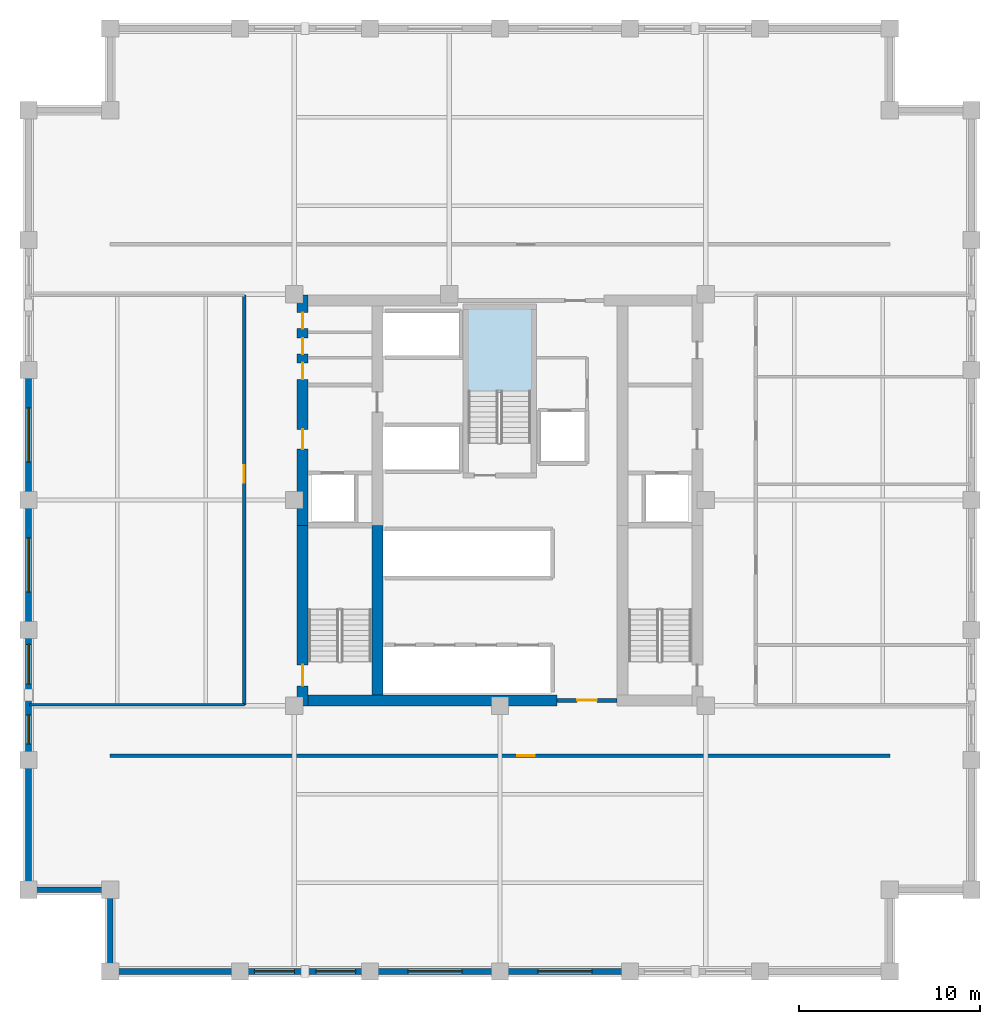
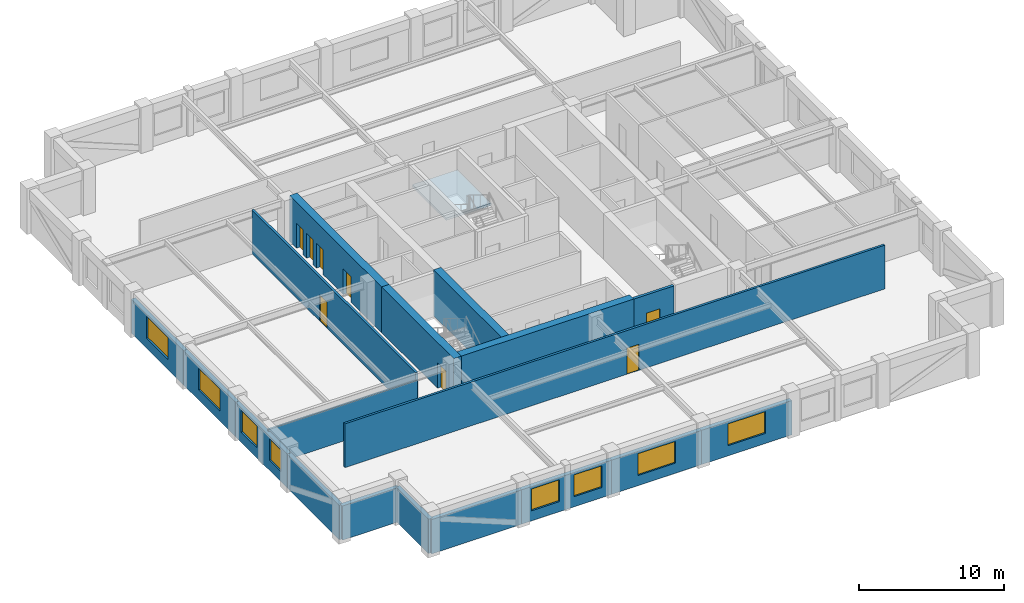
# One storey, part 2 of 6: 18 walls, 8 doors, 8 windows, 1 slab, 16 openings, 1 element without a shape of its own.
"""IFC4 building model written with IfcOpenShell, lengths in metres."""

from ifc_helpers import new_model, si_unit, direction, frame, frame_2d, origin, place, context, subcontext, project, spatial, polyline, rectangle, outline, extrude, material, layer, layer_set, type_object, element, fill, aggregate, save


model = new_model("IFC4")

# Units and contexts
model_context = context("Model", 3, precision=1e-05, world=origin(), true_north=direction((0.0, 1.0)))
body_context = subcontext(model_context, "Body", "Model", "MODEL_VIEW")
ifc_project = project(units=[si_unit("LENGTHUNIT", "METRE"), si_unit("AREAUNIT", "SQUARE_METRE"), si_unit("VOLUMEUNIT", "CUBIC_METRE"), si_unit("PLANEANGLEUNIT", "RADIAN"), si_unit("MASSUNIT", "GRAM", prefix="KILO")], contexts=[model_context])

# Site, building, storey
site_placement = place(None, origin())
site = spatial("IfcSite", under=ifc_project, at=site_placement, CompositionType="ELEMENT")
building_placement = place(site_placement, origin())
building = spatial("IfcBuilding", under=site, at=building_placement, Name="Nhamokura Convention Tower", CompositionType="ELEMENT")
storey_placement = place(building_placement, frame((0.0, 0.0, 145.25)))
storey = spatial("IfcBuildingStorey", under=building, at=storey_placement, Name="L35", CompositionType="ELEMENT", Elevation=145.25)

# Stair, slab
ifc_material_1 = material(Name="Concrete C40/50", Category="concrete")
stair_type = type_object("IfcStairType", Name="TowerCoreStair_1650", PredefinedType="HALF_TURN_STAIR", material=ifc_material_1)
stair_placement = place(storey_placement, origin())
stair = element("IfcStair", 1, at=stair_placement, inside=storey, type_object=stair_type, Name="L35 North Core Smokeproof Stair ST-03", PredefinedType="HALF_TURN_STAIR")
ifc_material_2 = material(Name="Concrete C40/50", Category="concrete")
ifc_layer_1 = layer(ifc_material_2, 0.199951171875)
ifc_layer_set_1 = layer_set([ifc_layer_1], Name="StairLandingSlab_200")
slab_type = type_object("IfcSlabType", Name="StairLandingSlab_200", PredefinedType="LANDING", material=ifc_layer_set_1)
slab_placement = place(storey_placement, frame((0.0, 0.0, 1.72509765625)))
slab = element("IfcSlab", 2, at=slab_placement, type_object=slab_type, Name="ST-03 landing 1", PredefinedType="LANDING", context=body_context, shape_type="SweptSolid", body=[
    extrude(outline(polyline([(33.780029296875, 37.919921875), (33.780029296875, 42.580078125), (30.169921875, 42.580078125), (30.169921875, 37.919921875), (33.780029296875, 37.919921875)])), origin(), (0.0, 0.0, 1.0), 0.199951171875),
])
aggregate(stair, [slab])

# Wall
ifc_material_3 = material(Name="Bronze-pigmented precast concrete C45/55", Category="concrete")
ifc_layer_2 = layer(ifc_material_3, 0.320068359375)
ifc_layer_set_2 = layer_set([ifc_layer_2], Name="BronzePrecastSpandrel_320")
wall_type_1 = type_object("IfcWallType", Name="BronzePrecastSpandrel_320", PredefinedType="USERDEFINED", material=ifc_layer_set_2)
wall_1_placement = place(storey_placement, frame((17.666748046875, 6.0, 0.0), z_axis=(0.0, 0.0, 1.0), x_axis=(-1.0, 0.0, 0.0)))
element("IfcWall", 3, at=wall_1_placement, inside=storey, type_object=wall_type_1, Name="L35 Braced-Bay Precast Wall SOUTH 0", ObjectType="SPANDREL_WALL", PredefinedType="USERDEFINED", context=body_context, shape_type="SweptSolid", body=[
    extrude(rectangle(XDim=7.166748046875, YDim=0.320068359375, at=frame_2d((3.58349609375, 0.0))), origin(), (0.0, 0.0, 1.0), 2.885009765625),
])

# Wall, openings, windows
wall_2_placement = place(storey_placement, frame((24.833251953125, 6.0, 0.0), z_axis=(0.0, 0.0, 1.0), x_axis=(-1.0, 0.0, 0.0)))
wall_2 = element("IfcWall", 4, at=wall_2_placement, inside=storey, type_object=wall_type_1, Name="L35 Masonry-Frame Wall SOUTH 1", ObjectType="SPANDREL_WALL", PredefinedType="USERDEFINED", context=body_context, shape_type="SweptSolid", body=[
    extrude(rectangle(XDim=7.16650390625, YDim=0.320068359375, at=frame_2d((3.583251953125, 0.0))), origin(), (0.0, 0.0, 1.0), 2.885009765625),
])
opening_1_placement = place(wall_2_placement, frame((0.791748046875, 0.0, 0.85009765625)))
opening_1 = element("IfcOpeningElement", 5, at=opening_1_placement, cuts=wall_2, Name="Opening W-06", PredefinedType="OPENING", context=body_context, shape_type="SweptSolid", body=[
    extrude(rectangle(XDim=2.199951171875, YDim=1.8349609375, at=frame_2d((1.10009765625, 0.91748046875))), frame((0.0, 0.169921875, 0.0), z_axis=(0.0, -1.0, 0.0), x_axis=(1.0, 0.0, 0.0)), (0.0, 0.0, 1.0), 0.340087890625),
])
opening_2_placement = place(wall_2_placement, frame((4.175048828125, 0.0, 0.85009765625)))
opening_2 = element("IfcOpeningElement", 6, at=opening_2_placement, cuts=wall_2, Name="Opening W-06", PredefinedType="OPENING", context=body_context, shape_type="SweptSolid", body=[
    extrude(rectangle(XDim=2.199951171875, YDim=1.8349609375, at=frame_2d((1.10009765625, 0.91748046875))), frame((0.0, 0.169921875, 0.0), z_axis=(0.0, -1.0, 0.0), x_axis=(1.0, 0.0, 0.0)), (0.0, 0.0, 1.0), 0.340087890625),
])
ifc_material_4 = material(Name="Solar-control bronze low-E double glass", Category="glass")
window_type_1 = type_object("IfcWindowType", Name="OfficeModuleWindow_Z2_2200", PartitioningType="SINGLE_PANEL", PredefinedType="WINDOW", material=ifc_material_4)
window_1_placement = place(opening_1_placement, origin())
window_1 = element("IfcWindow", 7, at=window_1_placement, inside=storey, type_object=window_type_1, Name="L35 Facade Window SOUTH 1-1", OverallHeight=1.8349609375, OverallWidth=2.199951171875, PartitioningType="SINGLE_PANEL", PredefinedType="WINDOW", context=body_context, shape_type="SweptSolid", body=[
    extrude(rectangle(XDim=2.199951171875, YDim=1.8349609375, at=frame_2d((1.10009765625, 0.91748046875))), frame((0.0, 0.030029296875, 0.0), z_axis=(0.0, -1.0, 0.0), x_axis=(1.0, 0.0, 0.0)), (0.0, 0.0, 1.0), 0.06005859375),
])
fill(opening_1, window_1)
window_2_placement = place(opening_2_placement, origin())
window_2 = element("IfcWindow", 8, at=window_2_placement, inside=storey, type_object=window_type_1, Name="L35 Facade Window SOUTH 1-2", OverallHeight=1.8349609375, OverallWidth=2.199951171875, PartitioningType="SINGLE_PANEL", PredefinedType="WINDOW", context=body_context, shape_type="SweptSolid", body=[
    extrude(rectangle(XDim=2.199951171875, YDim=1.8349609375, at=frame_2d((1.10009765625, 0.91748046875))), frame((0.0, 0.030029296875, 0.0), z_axis=(0.0, -1.0, 0.0), x_axis=(1.0, 0.0, 0.0)), (0.0, 0.0, 1.0), 0.06005859375),
])
fill(opening_2, window_2)

# Wall, opening, window
wall_3_placement = place(storey_placement, frame((32.0, 6.0, 0.0), z_axis=(0.0, 0.0, 1.0), x_axis=(-1.0, 0.0, 0.0)))
wall_3 = element("IfcWall", 9, at=wall_3_placement, inside=storey, type_object=wall_type_1, Name="L35 Masonry-Frame Wall SOUTH 2", ObjectType="SPANDREL_WALL", PredefinedType="USERDEFINED", context=body_context, shape_type="SweptSolid", body=[
    extrude(rectangle(XDim=7.166748046875, YDim=0.320068359375, at=frame_2d((3.58349609375, 0.0))), origin(), (0.0, 0.0, 1.0), 2.885009765625),
])
opening_3_placement = place(wall_3_placement, frame((2.083251953125, 0.0, 0.85009765625)))
opening_3 = element("IfcOpeningElement", 10, at=opening_3_placement, cuts=wall_3, Name="Opening W-05", PredefinedType="OPENING", context=body_context, shape_type="SweptSolid", body=[
    extrude(rectangle(XDim=3.0, YDim=1.8349609375, at=frame_2d((1.5, 0.91748046875))), frame((0.0, 0.169921875, 0.0), z_axis=(0.0, -1.0, 0.0), x_axis=(1.0, 0.0, 0.0)), (0.0, 0.0, 1.0), 0.340087890625),
])
ifc_material_5 = material(Name="Solar-control bronze low-E double glass", Category="glass")
window_type_2 = type_object("IfcWindowType", Name="OfficeModuleWindow_Z2_3000", PartitioningType="DOUBLE_PANEL_VERTICAL", PredefinedType="WINDOW", material=ifc_material_5)
window_3_placement = place(opening_3_placement, origin())
window_3 = element("IfcWindow", 11, at=window_3_placement, inside=storey, type_object=window_type_2, Name="L35 Facade Window SOUTH 2", OverallHeight=1.8349609375, OverallWidth=3.0, PartitioningType="SINGLE_PANEL", PredefinedType="WINDOW", context=body_context, shape_type="SweptSolid", body=[
    extrude(rectangle(XDim=3.0, YDim=1.8349609375, at=frame_2d((1.5, 0.91748046875))), frame((0.0, 0.030029296875, 0.0), z_axis=(0.0, -1.0, 0.0), x_axis=(1.0, 0.0, 0.0)), (0.0, 0.0, 1.0), 0.06005859375),
])
fill(opening_3, window_3)

wall_4_placement = place(storey_placement, frame((39.166748046875, 6.0, 0.0), z_axis=(0.0, 0.0, 1.0), x_axis=(-1.0, 0.0, 0.0)))
wall_4 = element("IfcWall", 12, at=wall_4_placement, inside=storey, type_object=wall_type_1, Name="L35 Masonry-Frame Wall SOUTH 3", ObjectType="SPANDREL_WALL", PredefinedType="USERDEFINED", context=body_context, shape_type="SweptSolid", body=[
    extrude(rectangle(XDim=7.166748046875, YDim=0.320068359375, at=frame_2d((3.58349609375, 0.0))), origin(), (0.0, 0.0, 1.0), 2.885009765625),
])
opening_4_placement = place(wall_4_placement, frame((2.083251953125, 0.0, 0.85009765625)))
opening_4 = element("IfcOpeningElement", 13, at=opening_4_placement, cuts=wall_4, Name="Opening W-05", PredefinedType="OPENING", context=body_context, shape_type="SweptSolid", body=[
    extrude(rectangle(XDim=3.0, YDim=1.8349609375, at=frame_2d((1.5, 0.91748046875))), frame((0.0, 0.169921875, 0.0), z_axis=(0.0, -1.0, 0.0), x_axis=(1.0, 0.0, 0.0)), (0.0, 0.0, 1.0), 0.340087890625),
])
window_4_placement = place(opening_4_placement, origin())
window_4 = element("IfcWindow", 14, at=window_4_placement, inside=storey, type_object=window_type_2, Name="L35 Facade Window SOUTH 3", OverallHeight=1.8349609375, OverallWidth=3.0, PartitioningType="SINGLE_PANEL", PredefinedType="WINDOW", context=body_context, shape_type="SweptSolid", body=[
    extrude(rectangle(XDim=3.0, YDim=1.8349609375, at=frame_2d((1.5, 0.91748046875))), frame((0.0, 0.030029296875, 0.0), z_axis=(0.0, -1.0, 0.0), x_axis=(1.0, 0.0, 0.0)), (0.0, 0.0, 1.0), 0.06005859375),
])
fill(opening_4, window_4)

# Wall
wall_5_placement = place(storey_placement, frame((6.0, 10.5, 0.0), z_axis=(0.0, 0.0, 1.0), x_axis=(0.0, 1.0, 0.0)))
element("IfcWall", 15, at=wall_5_placement, inside=storey, type_object=wall_type_1, Name="L35 Braced-Bay Precast Wall WEST 0", ObjectType="SPANDREL_WALL", PredefinedType="USERDEFINED", context=body_context, shape_type="SweptSolid", body=[
    extrude(rectangle(XDim=7.166748046875, YDim=0.320068359375, at=frame_2d((3.58349609375, 0.0))), origin(), (0.0, 0.0, 1.0), 2.885009765625),
])

# Wall, openings, windows
wall_6_placement = place(storey_placement, frame((6.0, 17.666748046875, 0.0), z_axis=(0.0, 0.0, 1.0), x_axis=(0.0, 1.0, 0.0)))
wall_6 = element("IfcWall", 16, at=wall_6_placement, inside=storey, type_object=wall_type_1, Name="L35 Masonry-Frame Wall WEST 1", ObjectType="SPANDREL_WALL", PredefinedType="USERDEFINED", context=body_context, shape_type="SweptSolid", body=[
    extrude(rectangle(XDim=7.16650390625, YDim=0.320068359375, at=frame_2d((3.583251953125, 0.0))), origin(), (0.0, 0.0, 1.0), 2.885009765625),
])
opening_5_placement = place(wall_6_placement, frame((0.879150390625, 0.0, 0.85009765625)))
opening_5 = element("IfcOpeningElement", 17, at=opening_5_placement, cuts=wall_6, Name="Opening W-11", PredefinedType="OPENING", context=body_context, shape_type="SweptSolid", body=[
    extrude(rectangle(XDim=1.60009765625, YDim=1.8349609375, at=frame_2d((0.800048828125, 0.91748046875))), frame((0.0, 0.169921875, 0.0), z_axis=(0.0, -1.0, 0.0), x_axis=(1.0, 0.0, 0.0)), (0.0, 0.0, 1.0), 0.340087890625),
])
opening_6_placement = place(wall_6_placement, frame((4.175048828125, 0.0, 0.85009765625)))
opening_6 = element("IfcOpeningElement", 18, at=opening_6_placement, cuts=wall_6, Name="Opening W-06", PredefinedType="OPENING", context=body_context, shape_type="SweptSolid", body=[
    extrude(rectangle(XDim=2.199951171875, YDim=1.8349609375, at=frame_2d((1.10009765625, 0.91748046875))), frame((0.0, 0.169921875, 0.0), z_axis=(0.0, -1.0, 0.0), x_axis=(1.0, 0.0, 0.0)), (0.0, 0.0, 1.0), 0.340087890625),
])
ifc_material_6 = material(Name="Solar-control bronze low-E double glass", Category="glass")
window_type_3 = type_object("IfcWindowType", Name="NotchCornerWindow_1600", PartitioningType="SINGLE_PANEL", PredefinedType="WINDOW", material=ifc_material_6)
window_5_placement = place(opening_5_placement, origin())
window_5 = element("IfcWindow", 19, at=window_5_placement, inside=storey, type_object=window_type_3, Name="L35 Facade Window WEST 1-1", OverallHeight=1.8349609375, OverallWidth=1.60009765625, PartitioningType="SINGLE_PANEL", PredefinedType="WINDOW", context=body_context, shape_type="SweptSolid", body=[
    extrude(rectangle(XDim=1.60009765625, YDim=1.8349609375, at=frame_2d((0.800048828125, 0.91748046875))), frame((0.0, 0.030029296875, 0.0), z_axis=(0.0, -1.0, 0.0), x_axis=(1.0, 0.0, 0.0)), (0.0, 0.0, 1.0), 0.06005859375),
])
fill(opening_5, window_5)
window_6_placement = place(opening_6_placement, origin())
window_6 = element("IfcWindow", 20, at=window_6_placement, inside=storey, type_object=window_type_1, Name="L35 Facade Window WEST 1-2", OverallHeight=1.8349609375, OverallWidth=2.199951171875, PartitioningType="SINGLE_PANEL", PredefinedType="WINDOW", context=body_context, shape_type="SweptSolid", body=[
    extrude(rectangle(XDim=2.199951171875, YDim=1.8349609375, at=frame_2d((1.10009765625, 0.91748046875))), frame((0.0, 0.030029296875, 0.0), z_axis=(0.0, -1.0, 0.0), x_axis=(1.0, 0.0, 0.0)), (0.0, 0.0, 1.0), 0.06005859375),
])
fill(opening_6, window_6)

# Wall, opening, window
wall_7_placement = place(storey_placement, frame((6.0, 24.833251953125, 0.0), z_axis=(0.0, 0.0, 1.0), x_axis=(0.0, 1.0, 0.0)))
wall_7 = element("IfcWall", 21, at=wall_7_placement, inside=storey, type_object=wall_type_1, Name="L35 Masonry-Frame Wall WEST 2", ObjectType="SPANDREL_WALL", PredefinedType="USERDEFINED", context=body_context, shape_type="SweptSolid", body=[
    extrude(rectangle(XDim=7.166748046875, YDim=0.320068359375, at=frame_2d((3.58349609375, 0.0))), origin(), (0.0, 0.0, 1.0), 2.885009765625),
])
opening_7_placement = place(wall_7_placement, frame((2.083251953125, 0.0, 0.85009765625)))
opening_7 = element("IfcOpeningElement", 22, at=opening_7_placement, cuts=wall_7, Name="Opening W-05", PredefinedType="OPENING", context=body_context, shape_type="SweptSolid", body=[
    extrude(rectangle(XDim=3.0, YDim=1.8349609375, at=frame_2d((1.5, 0.91748046875))), frame((0.0, 0.169921875, 0.0), z_axis=(0.0, -1.0, 0.0), x_axis=(1.0, 0.0, 0.0)), (0.0, 0.0, 1.0), 0.340087890625),
])
window_7_placement = place(opening_7_placement, origin())
window_7 = element("IfcWindow", 23, at=window_7_placement, inside=storey, type_object=window_type_2, Name="L35 Facade Window WEST 2", OverallHeight=1.8349609375, OverallWidth=3.0, PartitioningType="SINGLE_PANEL", PredefinedType="WINDOW", context=body_context, shape_type="SweptSolid", body=[
    extrude(rectangle(XDim=3.0, YDim=1.8349609375, at=frame_2d((1.5, 0.91748046875))), frame((0.0, 0.030029296875, 0.0), z_axis=(0.0, -1.0, 0.0), x_axis=(1.0, 0.0, 0.0)), (0.0, 0.0, 1.0), 0.06005859375),
])
fill(opening_7, window_7)

wall_8_placement = place(storey_placement, frame((6.0, 32.0, 0.0), z_axis=(0.0, 0.0, 1.0), x_axis=(0.0, 1.0, 0.0)))
wall_8 = element("IfcWall", 24, at=wall_8_placement, inside=storey, type_object=wall_type_1, Name="L35 Masonry-Frame Wall WEST 3", ObjectType="SPANDREL_WALL", PredefinedType="USERDEFINED", context=body_context, shape_type="SweptSolid", body=[
    extrude(rectangle(XDim=7.166748046875, YDim=0.320068359375, at=frame_2d((3.58349609375, 0.0))), origin(), (0.0, 0.0, 1.0), 2.885009765625),
])
opening_8_placement = place(wall_8_placement, frame((2.083251953125, 0.0, 0.85009765625)))
opening_8 = element("IfcOpeningElement", 25, at=opening_8_placement, cuts=wall_8, Name="Opening W-05", PredefinedType="OPENING", context=body_context, shape_type="SweptSolid", body=[
    extrude(rectangle(XDim=3.0, YDim=1.8349609375, at=frame_2d((1.5, 0.91748046875))), frame((0.0, 0.169921875, 0.0), z_axis=(0.0, -1.0, 0.0), x_axis=(1.0, 0.0, 0.0)), (0.0, 0.0, 1.0), 0.340087890625),
])
window_8_placement = place(opening_8_placement, origin())
window_8 = element("IfcWindow", 26, at=window_8_placement, inside=storey, type_object=window_type_2, Name="L35 Facade Window WEST 3", OverallHeight=1.8349609375, OverallWidth=3.0, PartitioningType="SINGLE_PANEL", PredefinedType="WINDOW", context=body_context, shape_type="SweptSolid", body=[
    extrude(rectangle(XDim=3.0, YDim=1.8349609375, at=frame_2d((1.5, 0.91748046875))), frame((0.0, 0.030029296875, 0.0), z_axis=(0.0, -1.0, 0.0), x_axis=(1.0, 0.0, 0.0)), (0.0, 0.0, 1.0), 0.06005859375),
])
fill(opening_8, window_8)

# Walls
for number, where, z_axis, x_axis, name in (
    (27, (10.5, 6.0, 0.0), (0.0, 0.0, 1.0), (0.0, 1.0, 0.0), "L35 Notched Corner Wall SW1"),
    (28, (10.5, 10.5, 0.0), (0.0, 0.0, 1.0), (-1.0, 0.0, 0.0), "L35 Notched Corner Wall SW2"),
):
    element("IfcWall", number, at=place(storey_placement, frame(where, z_axis=z_axis, x_axis=x_axis)), inside=storey, type_object=wall_type_1, Name=name, ObjectType="SPANDREL_WALL", PredefinedType="USERDEFINED", context=body_context, shape_type="SweptSolid", body=[
        extrude(rectangle(XDim=4.5, YDim=0.320068359375, at=frame_2d((2.25, 0.0))), origin(), (0.0, 0.0, 1.0), 2.885009765625),
    ])

# Wall, opening, door
ifc_material_7 = material(Name="Concrete C60/75", Category="concrete")
ifc_layer_3 = layer(ifc_material_7, 0.60009765625)
ifc_layer_set_3 = layer_set([ifc_layer_3], Name="CoreShearWall_600")
wall_type_2 = type_object("IfcWallType", Name="CoreShearWall_600", PredefinedType="SHEAR", material=ifc_layer_set_3)
wall_9_placement = place(storey_placement, frame((21.110107421875, 20.64990234375, 0.0), z_axis=(0.0, 0.0, 1.0), x_axis=(0.0, 1.0, 0.0)))
wall_9 = element("IfcWall", 29, at=wall_9_placement, inside=storey, type_object=wall_type_2, Name="L35 Core Shear Wall CW-WS", PredefinedType="SHEAR", context=body_context, shape_type="SweptSolid", body=[
    extrude(rectangle(XDim=9.9501953125, YDim=0.60009765625, at=frame_2d((4.97509765625, 0.0))), origin(), (0.0, 0.0, 1.0), 3.85009765625),
])
opening_9_placement = place(wall_9_placement, frame((1.10009765625, 0.0, 0.0)))
opening_9 = element("IfcOpeningElement", 30, at=opening_9_placement, cuts=wall_9, Name="Opening D-04", PredefinedType="OPENING", context=body_context, shape_type="SweptSolid", body=[
    extrude(rectangle(XDim=1.14990234375, YDim=2.14990234375, at=frame_2d((0.574951171875, 1.074951171875))), frame((0.0, 0.31005859375, 0.0), z_axis=(0.0, -1.0, 0.0), x_axis=(1.0, 0.0, 0.0)), (0.0, 0.0, 1.0), 0.6201171875),
])
ifc_material_8 = material(Name="Fire-rated steel door", Category="steel")
door_type_1 = type_object("IfcDoorType", Name="StairSmokeDoor_1150", OperationType="NOTDEFINED", PredefinedType="DOOR", material=ifc_material_8)
door_1_placement = place(opening_9_placement, origin())
door_1 = element("IfcDoor", 31, at=door_1_placement, inside=storey, type_object=door_type_1, Name="L35 Core Door INT-L35-D-ST01", OperationType="SINGLE_SWING_LEFT", OverallHeight=2.14990234375, OverallWidth=1.14990234375, PredefinedType="DOOR", context=body_context, shape_type="SweptSolid", body=[
    extrude(rectangle(XDim=1.14990234375, YDim=2.14990234375, at=frame_2d((0.574951171875, 1.074951171875))), frame((0.0, 0.02490234375, 0.0), z_axis=(0.0, -1.0, 0.0), x_axis=(1.0, 0.0, 0.0)), (0.0, 0.0, 1.0), 0.050048828125),
])
fill(opening_9, door_1)

# Wall, openings, doors
wall_10_placement = place(storey_placement, frame((21.110107421875, 30.60009765625, 0.0), z_axis=(0.0, 0.0, 1.0), x_axis=(0.0, 1.0, 0.0)))
wall_10 = element("IfcWall", 32, at=wall_10_placement, inside=storey, type_object=wall_type_2, Name="L35 Core Shear Wall CW-WN", PredefinedType="SHEAR", context=body_context, shape_type="SweptSolid", body=[
    extrude(rectangle(XDim=12.699951171875, YDim=0.60009765625, at=frame_2d((6.35009765625, 0.0))), origin(), (0.0, 0.0, 1.0), 3.85009765625),
])
opening_10_placement = place(wall_10_placement, frame((4.199951171875, 0.0, 0.0)))
opening_10 = element("IfcOpeningElement", 33, at=opening_10_placement, cuts=wall_10, Name="Opening D-05", PredefinedType="OPENING", context=body_context, shape_type="SweptSolid", body=[
    extrude(rectangle(XDim=1.10009765625, YDim=2.14990234375, at=frame_2d((0.550048828125, 1.074951171875))), frame((0.0, 0.31005859375, 0.0), z_axis=(0.0, -1.0, 0.0), x_axis=(1.0, 0.0, 0.0)), (0.0, 0.0, 1.0), 0.6201171875),
])
opening_11_placement = place(wall_10_placement, frame((8.050048828125, 0.0, 0.0)))
opening_11 = element("IfcOpeningElement", 34, at=opening_11_placement, cuts=wall_10, Name="Opening D-10", PredefinedType="OPENING", context=body_context, shape_type="SweptSolid", body=[
    extrude(rectangle(XDim=0.919921875, YDim=2.10009765625, at=frame_2d((0.4599609375, 1.050048828125))), frame((0.0, 0.31005859375, 0.0), z_axis=(0.0, -1.0, 0.0), x_axis=(1.0, 0.0, 0.0)), (0.0, 0.0, 1.0), 0.6201171875),
])
opening_12_placement = place(wall_10_placement, frame((9.449951171875, 0.0, 0.0)))
opening_12 = element("IfcOpeningElement", 35, at=opening_12_placement, cuts=wall_10, Name="Opening D-11", PredefinedType="OPENING", context=body_context, shape_type="SweptSolid", body=[
    extrude(rectangle(XDim=0.8798828125, YDim=2.10009765625, at=frame_2d((0.43994140625, 1.050048828125))), frame((0.0, 0.31005859375, 0.0), z_axis=(0.0, -1.0, 0.0), x_axis=(1.0, 0.0, 0.0)), (0.0, 0.0, 1.0), 0.6201171875),
])
opening_13_placement = place(wall_10_placement, frame((10.85009765625, 0.0, 0.0)))
opening_13 = element("IfcOpeningElement", 36, at=opening_13_placement, cuts=wall_10, Name="Opening D-11", PredefinedType="OPENING", context=body_context, shape_type="SweptSolid", body=[
    extrude(rectangle(XDim=0.8798828125, YDim=2.10009765625, at=frame_2d((0.43994140625, 1.050048828125))), frame((0.0, 0.31005859375, 0.0), z_axis=(0.0, -1.0, 0.0), x_axis=(1.0, 0.0, 0.0)), (0.0, 0.0, 1.0), 0.6201171875),
])
ifc_material_9 = material(Name="Solid oak hardwood", Category="wood")
door_type_2 = type_object("IfcDoorType", Name="AccessibleWCDoor_920", OperationType="NOTDEFINED", PredefinedType="DOOR", material=ifc_material_9)
door_2_placement = place(opening_11_placement, origin())
door_2 = element("IfcDoor", 37, at=door_2_placement, inside=storey, type_object=door_type_2, Name="L35 Core Door INT-L35-D-AWC", OperationType="SINGLE_SWING_LEFT", OverallHeight=2.10009765625, OverallWidth=0.919921875, PredefinedType="DOOR", context=body_context, shape_type="SweptSolid", body=[
    extrude(rectangle(XDim=0.919921875, YDim=2.10009765625, at=frame_2d((0.4599609375, 1.050048828125))), frame((0.0, 0.02490234375, 0.0), z_axis=(0.0, -1.0, 0.0), x_axis=(1.0, 0.0, 0.0)), (0.0, 0.0, 1.0), 0.050048828125),
])
fill(opening_11, door_2)
ifc_material_10 = material(Name="Solid oak hardwood", Category="wood")
door_type_3 = type_object("IfcDoorType", Name="BathroomDoor_880", OperationType="NOTDEFINED", PredefinedType="DOOR", material=ifc_material_10)
door_3_placement = place(opening_12_placement, origin())
door_3 = element("IfcDoor", 38, at=door_3_placement, inside=storey, type_object=door_type_3, Name="L35 Core Door INT-L35-D-CLN", OperationType="SINGLE_SWING_RIGHT", OverallHeight=2.10009765625, OverallWidth=0.8798828125, PredefinedType="DOOR", context=body_context, shape_type="SweptSolid", body=[
    extrude(rectangle(XDim=0.8798828125, YDim=2.10009765625, at=frame_2d((0.43994140625, 1.050048828125))), frame((0.0, 0.02490234375, 0.0), z_axis=(0.0, -1.0, 0.0), x_axis=(1.0, 0.0, 0.0)), (0.0, 0.0, 1.0), 0.050048828125),
])
fill(opening_12, door_3)
door_4_placement = place(opening_13_placement, origin())
door_4 = element("IfcDoor", 39, at=door_4_placement, inside=storey, type_object=door_type_3, Name="L35 Core Door INT-L35-D-PNT", OperationType="SINGLE_SWING_LEFT", OverallHeight=2.10009765625, OverallWidth=0.8798828125, PredefinedType="DOOR", context=body_context, shape_type="SweptSolid", body=[
    extrude(rectangle(XDim=0.8798828125, YDim=2.10009765625, at=frame_2d((0.43994140625, 1.050048828125))), frame((0.0, 0.02490234375, 0.0), z_axis=(0.0, -1.0, 0.0), x_axis=(1.0, 0.0, 0.0)), (0.0, 0.0, 1.0), 0.050048828125),
])
fill(opening_13, door_4)
ifc_material_11 = material(Name="Fire-rated steel door", Category="steel")
door_type_4 = type_object("IfcDoorType", Name="FireLobbyDoor_1100", OperationType="NOTDEFINED", PredefinedType="DOOR", material=ifc_material_11)
door_5_placement = place(opening_10_placement, origin())
door_5 = element("IfcDoor", 40, at=door_5_placement, inside=storey, type_object=door_type_4, Name="L35 Core Door INT-L35-D-FFLW", OperationType="SINGLE_SWING_RIGHT", OverallHeight=2.14990234375, OverallWidth=1.10009765625, PredefinedType="DOOR", context=body_context, shape_type="SweptSolid", body=[
    extrude(rectangle(XDim=1.10009765625, YDim=2.14990234375, at=frame_2d((0.550048828125, 1.074951171875))), frame((0.0, 0.02490234375, 0.0), z_axis=(0.0, -1.0, 0.0), x_axis=(1.0, 0.0, 0.0)), (0.0, 0.0, 1.0), 0.050048828125),
])
fill(opening_10, door_5)

# Walls
wall_11_placement = place(storey_placement, frame((21.409912109375, 20.949951171875, 0.0), z_axis=(0.0, 0.0, 1.0), x_axis=(1.0, 0.0, 0.0)))
element("IfcWall", 41, at=wall_11_placement, inside=storey, type_object=wall_type_2, Name="L35 Core Shear Wall CW-S1", PredefinedType="SHEAR", context=body_context, shape_type="SweptSolid", body=[
    extrude(rectangle(XDim=13.739990234375, YDim=0.60009765625, at=frame_2d((6.8701171875, 0.0))), origin(), (0.0, 0.0, 1.0), 3.85009765625),
])
wall_12_placement = place(storey_placement, frame((25.239990234375, 21.25, 0.0), z_axis=(0.0, 0.0, 1.0), x_axis=(0.0, 1.0, 0.0)))
element("IfcWall", 42, at=wall_12_placement, inside=storey, type_object=wall_type_2, Name="L35 Core Shear Wall CW-IWS", PredefinedType="SHEAR", context=body_context, shape_type="SweptSolid", body=[
    extrude(rectangle(XDim=9.35009765625, YDim=0.60009765625, at=frame_2d((4.675048828125, 0.0))), origin(), (0.0, 0.0, 1.0), 3.85009765625),
])

# Wall, opening, door
ifc_material_12 = material(Name="Fire-rated gypsum and masonry partition", Category="masonry")
ifc_layer_4 = layer(ifc_material_12, 0.179931640625)
ifc_layer_set_4 = layer_set([ifc_layer_4], Name="CorridorRatedWall_180")
wall_type_3 = type_object("IfcWallType", Name="CorridorRatedWall_180", PredefinedType="STANDARD", material=ifc_layer_set_4)
wall_13_placement = place(storey_placement, frame((10.5, 17.89990234375, 0.0), z_axis=(0.0, 0.0, 1.0), x_axis=(1.0, 0.0, 0.0)))
wall_13 = element("IfcWall", 43, at=wall_13_placement, inside=storey, type_object=wall_type_3, Name="L35 Wall INT-L35-CW-S00", PredefinedType="STANDARD", context=body_context, shape_type="SweptSolid", body=[
    extrude(rectangle(XDim=43.0, YDim=0.179931640625, at=frame_2d((21.5, 0.0))), origin(), (0.0, 0.0, 1.0), 3.68505859375),
])
opening_14_placement = place(wall_13_placement, frame((22.449951171875, 0.0, 0.0)))
opening_14 = element("IfcOpeningElement", 44, at=opening_14_placement, cuts=wall_13, Name="Opening D-08", PredefinedType="OPENING", context=body_context, shape_type="SweptSolid", body=[
    extrude(rectangle(XDim=0.97998046875, YDim=2.199951171875, at=frame_2d((0.489990234375, 1.10009765625))), frame((0.0, 0.099853515625, 0.0), z_axis=(0.0, -1.0, 0.0), x_axis=(1.0, 0.0, 0.0)), (0.0, 0.0, 1.0), 0.199951171875),
])
ifc_material_13 = material(Name="Solid oak hardwood", Category="wood")
door_type_5 = type_object("IfcDoorType", Name="OfficeEntryDoor_980", OperationType="NOTDEFINED", PredefinedType="DOOR", material=ifc_material_13)
door_6_placement = place(opening_14_placement, origin())
door_6 = element("IfcDoor", 45, at=door_6_placement, inside=storey, type_object=door_type_5, Name="L35 Open Plan Office S01 Door", OperationType="SINGLE_SWING_LEFT", OverallHeight=2.199951171875, OverallWidth=0.97998046875, PredefinedType="DOOR", context=body_context, shape_type="SweptSolid", body=[
    extrude(rectangle(XDim=0.97998046875, YDim=2.199951171875, at=frame_2d((0.489990234375, 1.10009765625))), frame((0.0, 0.02490234375, 0.0), z_axis=(0.0, -1.0, 0.0), x_axis=(1.0, 0.0, 0.0)), (0.0, 0.0, 1.0), 0.050048828125),
])
fill(opening_14, door_6)

wall_14_placement = place(storey_placement, frame((17.89990234375, 20.699951171875, 0.0), z_axis=(0.0, 0.0, 1.0), x_axis=(0.0, 1.0, 0.0)))
wall_14 = element("IfcWall", 46, at=wall_14_placement, inside=storey, type_object=wall_type_3, Name="L35 Wall INT-L35-CW-W00", PredefinedType="STANDARD", context=body_context, shape_type="SweptSolid", body=[
    extrude(rectangle(XDim=22.60009765625, YDim=0.179931640625, at=frame_2d((11.300048828125, 0.0))), origin(), (0.0, 0.0, 1.0), 3.68505859375),
])
opening_15_placement = place(wall_14_placement, frame((12.25, 0.0, 0.0)))
opening_15 = element("IfcOpeningElement", 47, at=opening_15_placement, cuts=wall_14, Name="Opening D-08", PredefinedType="OPENING", context=body_context, shape_type="SweptSolid", body=[
    extrude(rectangle(XDim=0.97998046875, YDim=2.199951171875, at=frame_2d((0.489990234375, 1.10009765625))), frame((0.0, 0.099853515625, 0.0), z_axis=(0.0, -1.0, 0.0), x_axis=(1.0, 0.0, 0.0)), (0.0, 0.0, 1.0), 0.199951171875),
])
door_7_placement = place(opening_15_placement, origin())
door_7 = element("IfcDoor", 48, at=door_7_placement, inside=storey, type_object=door_type_5, Name="L35 Staff Lounge W01 Door", OperationType="SINGLE_SWING_LEFT", OverallHeight=2.199951171875, OverallWidth=0.97998046875, PredefinedType="DOOR", context=body_context, shape_type="SweptSolid", body=[
    extrude(rectangle(XDim=0.97998046875, YDim=2.199951171875, at=frame_2d((0.489990234375, 1.10009765625))), frame((0.0, 0.02490234375, 0.0), z_axis=(0.0, -1.0, 0.0), x_axis=(1.0, 0.0, 0.0)), (0.0, 0.0, 1.0), 0.050048828125),
])
fill(opening_15, door_7)

ifc_material_14 = material(Name="Autoclaved concrete blockwork", Category="masonry")
ifc_layer_5 = layer(ifc_material_14, 0.219970703125)
ifc_layer_set_5 = layer_set([ifc_layer_5], Name="FireLobbyWall_220")
wall_type_4 = type_object("IfcWallType", Name="FireLobbyWall_220", PredefinedType="STANDARD", material=ifc_layer_set_5)
wall_15_placement = place(storey_placement, frame((35.14990234375, 20.949951171875, 0.0), z_axis=(0.0, 0.0, 1.0), x_axis=(1.0, 0.0, 0.0)))
wall_15 = element("IfcWall", 49, at=wall_15_placement, inside=storey, type_object=wall_type_4, Name="L35 Wall INT-L35-SPORT-S", PredefinedType="STANDARD", context=body_context, shape_type="SweptSolid", body=[
    extrude(rectangle(XDim=3.300048828125, YDim=0.219970703125, at=frame_2d((1.64990234375, 0.0))), origin(), (0.0, 0.0, 1.0), 3.68505859375),
])
opening_16_placement = place(wall_15_placement, frame((1.10009765625, 0.0, 0.0)))
opening_16 = element("IfcOpeningElement", 50, at=opening_16_placement, cuts=wall_15, Name="Opening D-05", PredefinedType="OPENING", context=body_context, shape_type="SweptSolid", body=[
    extrude(rectangle(XDim=1.10009765625, YDim=2.14990234375, at=frame_2d((0.550048828125, 1.074951171875))), frame((0.0, 0.119873046875, 0.0), z_axis=(0.0, -1.0, 0.0), x_axis=(1.0, 0.0, 0.0)), (0.0, 0.0, 1.0), 0.239990234375),
])
door_8_placement = place(opening_16_placement, origin())
door_8 = element("IfcDoor", 51, at=door_8_placement, inside=storey, type_object=door_type_4, Name="L35 South Core Lobby Portal Door", OperationType="SINGLE_SWING_LEFT", OverallHeight=2.14990234375, OverallWidth=1.10009765625, PredefinedType="DOOR", context=body_context, shape_type="SweptSolid", body=[
    extrude(rectangle(XDim=1.10009765625, YDim=2.14990234375, at=frame_2d((0.550048828125, 1.074951171875))), frame((0.0, 0.02490234375, 0.0), z_axis=(0.0, -1.0, 0.0), x_axis=(1.0, 0.0, 0.0)), (0.0, 0.0, 1.0), 0.050048828125),
])
fill(opening_16, door_8)

# Wall
ifc_material_15 = material(Name="Acoustic gypsum stud partition", Category="masonry")
ifc_layer_6 = layer(ifc_material_15, 0.14990234375)
ifc_layer_set_6 = layer_set([ifc_layer_6], Name="InteriorPartition_150")
wall_type_5 = type_object("IfcWallType", Name="InteriorPartition_150", PredefinedType="STANDARD", material=ifc_layer_set_6)
wall_16_placement = place(storey_placement, frame((6.06005859375, 20.699951171875, 0.0), z_axis=(0.0, 0.0, 1.0), x_axis=(1.0, 0.0, 0.0)))
element("IfcWall", 52, at=wall_16_placement, inside=storey, type_object=wall_type_5, Name="L35 Wall INT-L35-RWB-W", PredefinedType="STANDARD", context=body_context, shape_type="SweptSolid", body=[
    extrude(rectangle(XDim=11.83984375, YDim=0.14990234375, at=frame_2d((5.919921875, 0.0))), origin(), (0.0, 0.0, 1.0), 3.055908203125),
])

save(model, "model.ifc")
